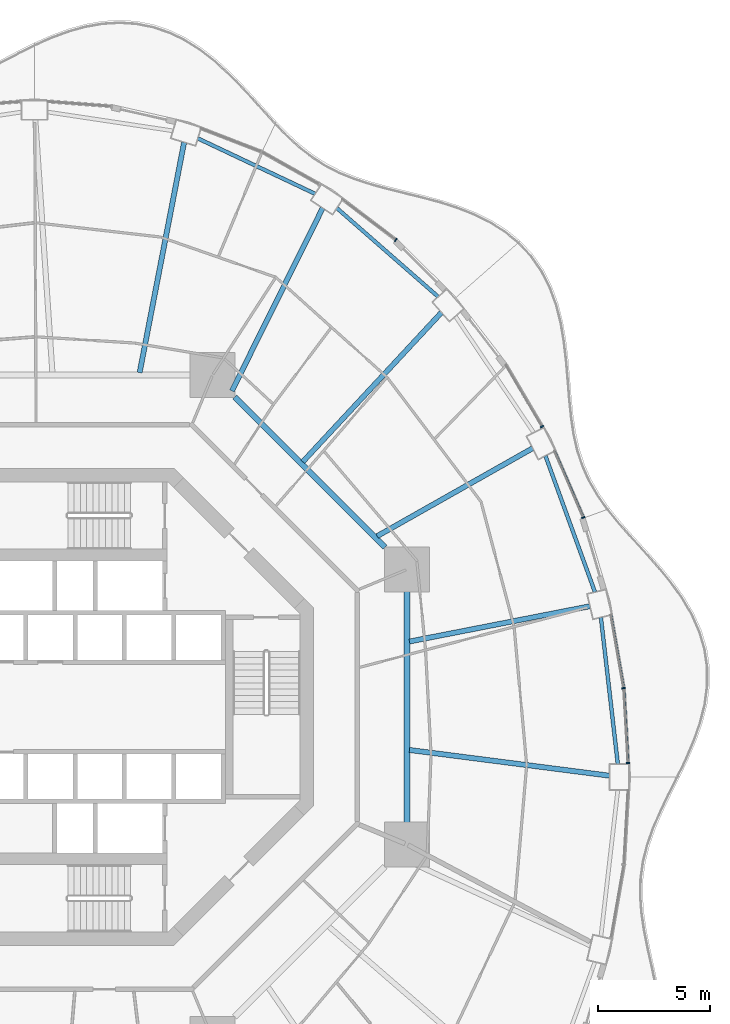
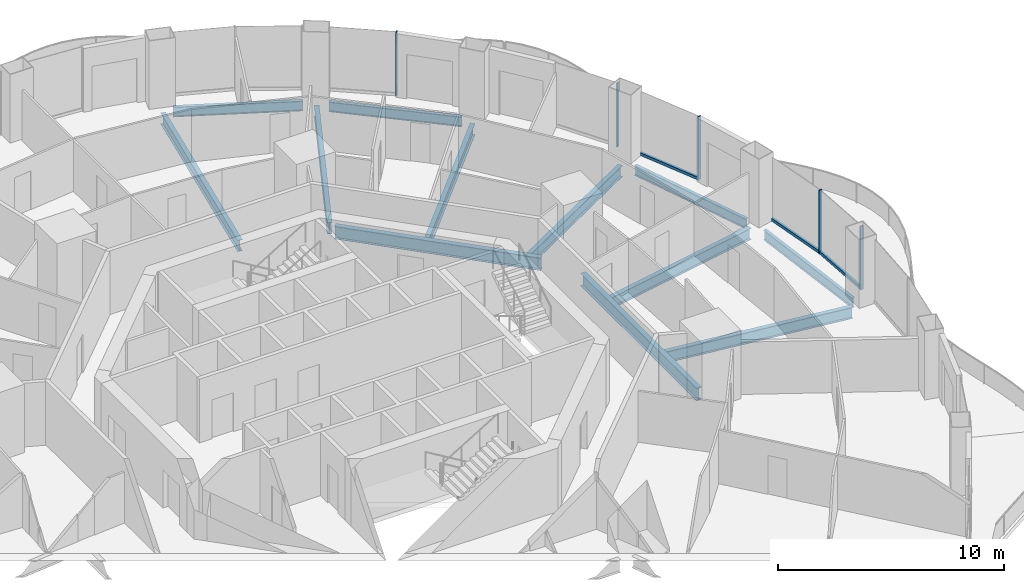
# One storey, part 8 of 20: 12 beams, 8 members, 5 elements without a shape of their own.
"""IFC4 building model written with IfcOpenShell, lengths in metres."""

from ifc_helpers import new_model, si_unit, direction, frame, origin, origin_2d, place, context, subcontext, project, spatial, rectangle, i_section, extrude, material, layer, layer_set, material_profile, profile_set, type_object, element, aggregate, save


model = new_model("IFC4")

# Units and contexts
model_context = context("Model", 3, precision=1e-05, world=origin(), true_north=direction((0.0, 1.0)))
body_context = subcontext(model_context, "Body", "Model", "MODEL_VIEW")
ifc_project = project(units=[si_unit("LENGTHUNIT", "METRE"), si_unit("AREAUNIT", "SQUARE_METRE"), si_unit("VOLUMEUNIT", "CUBIC_METRE"), si_unit("PLANEANGLEUNIT", "RADIAN"), si_unit("MASSUNIT", "GRAM", prefix="KILO")], contexts=[model_context])

# Site, building, storey
site_placement = place(None, origin())
site = spatial("IfcSite", under=ifc_project, at=site_placement, CompositionType="ELEMENT")
building_placement = place(site_placement, origin())
building = spatial("IfcBuilding", under=site, at=building_placement, Name="Nagisa Residences", CompositionType="ELEMENT")
storey_placement = place(building_placement, frame((0.0, 0.0, 141.800048828125)))
storey = spatial("IfcBuildingStorey", under=building, at=storey_placement, Name="L35", CompositionType="ELEMENT", Elevation=141.800048828125)

# Curtain wall, member
ifc_material_1 = material(Name="Concrete-coloured aluminium curtain wall system", Category="concrete")
ifc_layer = layer(ifc_material_1, 0.159912109375)
ifc_layer_set = layer_set([ifc_layer], Name="CW1 CURTAIN WALL")
curtain_wall_type = type_object("IfcCurtainWallType", Name="CW1 CURTAIN WALL", PredefinedType="NOTDEFINED", material=ifc_layer_set)
curtain_wall_1_placement = place(storey_placement, origin())
curtain_wall_1 = element("IfcCurtainWall", 1, at=curtain_wall_1_placement, inside=storey, type_object=curtain_wall_type, Name="cw:CW1:L35:00", PredefinedType="NOTDEFINED")
ifc_material_2 = material(Name="Concrete-coloured aluminium", Category="concrete")
ifc_material_profile_1 = material_profile(ifc_material_2, rectangle(XDim=0.159912109375, YDim=0.06005859375, at=origin_2d()), Name="CW1 MULLION 160x60")
ifc_profile_set_1 = profile_set([ifc_material_profile_1], Name="Concrete-coloured aluminium")
member_type_1 = type_object("IfcMemberType", Name="CW1 MULLION 160x60", PredefinedType="MULLION", material=ifc_profile_set_1)
member_1_placement = place(storey_placement, frame((24.618896484375, -2.493408203125, 0.0), z_axis=(0.0, 0.0, 1.0), x_axis=(-0.998345305184, -0.057503492216, 0.0)))
member_1 = element("IfcMember", 2, at=member_1_placement, type_object=member_type_1, Name="CW1 mullion", PredefinedType="MULLION", context=body_context, shape_type="SweptSolid", body=[
    extrude(rectangle(XDim=0.159912109375, YDim=0.06005859375, at=origin_2d()), origin(), (0.0, 0.0, 1.0), 3.43994140625),
])

curtain_wall_2_placement = place(storey_placement, origin())
curtain_wall_2 = element("IfcCurtainWall", 3, at=curtain_wall_2_placement, inside=storey, type_object=curtain_wall_type, Name="cw:CW1:L35:01", PredefinedType="NOTDEFINED")
member_2_placement = place(storey_placement, frame((24.424072265625, 0.83935546875, 0.0), z_axis=(0.0, 0.0, 1.0), x_axis=(-0.985063604377, -0.172190868898, 0.0)))
member_2 = element("IfcMember", 4, at=member_2_placement, type_object=member_type_1, Name="CW1 mullion", PredefinedType="MULLION", context=body_context, shape_type="SweptSolid", body=[
    extrude(rectangle(XDim=0.159912109375, YDim=0.06005859375, at=origin_2d()), origin(), (0.0, 0.0, 1.0), 3.43994140625),
])

curtain_wall_3_placement = place(storey_placement, origin())
curtain_wall_3 = element("IfcCurtainWall", 5, at=curtain_wall_3_placement, inside=storey, type_object=curtain_wall_type, Name="cw:CW1:L35:03", PredefinedType="NOTDEFINED")
member_3_placement = place(storey_placement, frame((22.6298828125, 8.43310546875, 0.0), z_axis=(0.0, 0.0, 1.0), x_axis=(-0.917543276295, -0.397635934147, 0.0)))
member_3 = element("IfcMember", 6, at=member_3_placement, type_object=member_type_1, Name="CW1 mullion", PredefinedType="MULLION", context=body_context, shape_type="SweptSolid", body=[
    extrude(rectangle(XDim=0.159912109375, YDim=0.06005859375, at=origin_2d()), origin(), (0.0, 0.0, 1.0), 3.43994140625),
])

curtain_wall_4_placement = place(storey_placement, origin())
curtain_wall_4 = element("IfcCurtainWall", 7, at=curtain_wall_4_placement, inside=storey, type_object=curtain_wall_type, Name="cw:CW1:L35:04", PredefinedType="NOTDEFINED")
member_4_placement = place(storey_placement, frame((20.7919921875, 12.482666015625, 0.0), z_axis=(0.0, 0.0, 1.0), x_axis=(-0.862328898214, -0.506348567002, 0.0)))
member_4 = element("IfcMember", 8, at=member_4_placement, type_object=member_type_1, Name="CW1 mullion", PredefinedType="MULLION", context=body_context, shape_type="SweptSolid", body=[
    extrude(rectangle(XDim=0.159912109375, YDim=0.06005859375, at=origin_2d()), origin(), (0.0, 0.0, 1.0), 3.43994140625),
])
aggregate(curtain_wall_4, [member_4])

curtain_wall_5_placement = place(storey_placement, origin())
curtain_wall_5 = element("IfcCurtainWall", 9, at=curtain_wall_5_placement, inside=storey, type_object=curtain_wall_type, Name="cw:CW1:L35:07", PredefinedType="NOTDEFINED")
member_5_placement = place(storey_placement, frame((14.28125, 20.7919921875, 0.0), z_axis=(0.0, 0.0, 1.0), x_axis=(-0.605255421737, -0.79603132756, 0.0)))
member_5 = element("IfcMember", 10, at=member_5_placement, type_object=member_type_1, Name="CW1 mullion", PredefinedType="MULLION", context=body_context, shape_type="SweptSolid", body=[
    extrude(rectangle(XDim=0.159912109375, YDim=0.06005859375, at=origin_2d()), origin(), (0.0, 0.0, 1.0), 3.43994140625),
])
aggregate(curtain_wall_5, [member_5])

# Member
ifc_material_3 = material(Name="Concrete-coloured aluminium", Category="concrete")
ifc_material_profile_2 = material_profile(ifc_material_3, rectangle(XDim=0.1201171875, YDim=0.14990234375, at=origin_2d()), Name="CW1 TRANSOM 120x150")
ifc_profile_set_2 = profile_set([ifc_material_profile_2], Name="Concrete-coloured aluminium")
member_type_2 = type_object("IfcMemberType", Name="CW1 TRANSOM 120x150", PredefinedType="USERDEFINED", material=ifc_profile_set_2)
member_6_placement = place(storey_placement, frame((24.62060546875, -2.523193359375, 0.074951171875), z_axis=(-0.057469329432, 0.998347272333, 0.0), x_axis=(-0.998347272333, -0.057469329432, 0.0)))
member_6 = element("IfcMember", 11, at=member_6_placement, type_object=member_type_2, Name="CW1 transom", ObjectType="TRANSOM", PredefinedType="USERDEFINED", context=body_context, shape_type="SweptSolid", body=[
    extrude(rectangle(XDim=0.1201171875, YDim=0.14990234375, at=origin_2d()), origin(), (0.0, 0.0, 1.0), 3.34765625),
])

aggregate(curtain_wall_1, [member_1, member_6])

member_7_placement = place(storey_placement, frame((24.42919921875, 0.809814453125, 0.074951171875), z_axis=(-0.172163521006, 0.985068384446, 0.0), x_axis=(-0.985068384446, -0.172163521006, 0.0)))
member_7 = element("IfcMember", 12, at=member_7_placement, type_object=member_type_2, Name="CW1 transom", ObjectType="TRANSOM", PredefinedType="USERDEFINED", context=body_context, shape_type="SweptSolid", body=[
    extrude(rectangle(XDim=0.1201171875, YDim=0.14990234375, at=origin_2d()), origin(), (0.0, 0.0, 1.0), 3.33251953125),
])

aggregate(curtain_wall_2, [member_2, member_7])

member_8_placement = place(storey_placement, frame((22.641845703125, 8.405517578125, 0.074951171875), z_axis=(-0.397638954585, 0.917541967321, 0.0), x_axis=(-0.917541967321, -0.397638954585, 0.0)))
member_8 = element("IfcMember", 13, at=member_8_placement, type_object=member_type_2, Name="CW1 transom", ObjectType="TRANSOM", PredefinedType="USERDEFINED", context=body_context, shape_type="SweptSolid", body=[
    extrude(rectangle(XDim=0.1201171875, YDim=0.14990234375, at=origin_2d()), origin(), (0.0, 0.0, 1.0), 3.2607421875),
])

aggregate(curtain_wall_3, [member_3, member_8])

# Beams
ifc_material_4 = material(Name="Steel ASTM A572 Gr 50", Category="steel")
ifc_material_profile_3 = material_profile(ifc_material_4, i_section(OverallWidth=0.25390625, OverallDepth=0.68408203125, WebThickness=0.012451171875, FlangeThickness=0.018798828125, at=origin_2d()), Name="W690x140")
ifc_profile_set_3 = profile_set([ifc_material_profile_3], Name="Steel ASTM A572 Gr 50")
beam_type_1 = type_object("IfcBeamType", Name="Inner ring beam W690x140", PredefinedType="BEAM", material=ifc_profile_set_3)
beam_1_placement = place(storey_placement, frame((13.796142578125, 7.10888671875, -0.60205078125), z_axis=(-0.707106781187, 0.707106781187, 0.0), x_axis=(-0.707106781187, -0.707106781187, 0.0)))
element("IfcBeam", 14, at=beam_1_placement, inside=storey, type_object=beam_type_1, Name="beam:L35:ib1", PredefinedType="BEAM", context=body_context, shape_type="SweptSolid", body=[
    extrude(i_section(OverallWidth=0.25390625, OverallDepth=0.68408203125, WebThickness=0.012451171875, FlangeThickness=0.018798828125, at=origin_2d()), origin(), (0.0, 0.0, 1.0), 9.457275390625),
])
beam_2_placement = place(storey_placement, frame((14.781982421875, -5.142822265625, -0.60205078125), z_axis=(0.0, 1.0, 0.0), x_axis=(-1.0, 0.0, 0.0)))
element("IfcBeam", 15, at=beam_2_placement, inside=storey, type_object=beam_type_1, Name="beam:L35:ib8", PredefinedType="BEAM", context=body_context, shape_type="SweptSolid", body=[
    extrude(i_section(OverallWidth=0.25390625, OverallDepth=0.68408203125, WebThickness=0.012451171875, FlangeThickness=0.018798828125, at=origin_2d()), origin(), (0.0, 0.0, 1.0), 10.28564453125),
])
ifc_material_5 = material(Name="Steel ASTM A572 Gr 50", Category="steel")
ifc_material_profile_4 = material_profile(ifc_material_5, i_section(OverallWidth=0.166015625, OverallDepth=0.534912109375, WebThickness=0.01025390625, FlangeThickness=0.0166015625, at=origin_2d()), Name="W530x85")
ifc_profile_set_4 = profile_set([ifc_material_profile_4], Name="Steel ASTM A572 Gr 50")
beam_type_2 = type_object("IfcBeamType", Name="Perimeter ring beam W530x85", PredefinedType="BEAM", material=ifc_profile_set_4)
beam_3_placement = place(storey_placement, frame((24.16796875, -2.53759765625, -0.527587890625), z_axis=(-0.114660786771, 0.993404703017, 0.0), x_axis=(-0.993404703017, -0.114660786771, 0.0)))
element("IfcBeam", 16, at=beam_3_placement, inside=storey, type_object=beam_type_2, Name="beam:L35:pb01", PredefinedType="BEAM", context=body_context, shape_type="SweptSolid", body=[
    extrude(i_section(OverallWidth=0.166015625, OverallDepth=0.534912109375, WebThickness=0.01025390625, FlangeThickness=0.0166015625, at=origin_2d()), origin(), (0.0, 0.0, 1.0), 6.568603515625),
])
beam_4_placement = place(storey_placement, frame((23.1484375, 5.116943359375, -0.527587890625), z_axis=(-0.341332802315, 0.93994250785, 0.0), x_axis=(-0.93994250785, -0.341332802315, 0.0)))
element("IfcBeam", 17, at=beam_4_placement, inside=storey, type_object=beam_type_2, Name="beam:L35:pb02", PredefinedType="BEAM", context=body_context, shape_type="SweptSolid", body=[
    extrude(i_section(OverallWidth=0.166015625, OverallDepth=0.534912109375, WebThickness=0.01025390625, FlangeThickness=0.0166015625, at=origin_2d()), origin(), (0.0, 0.0, 1.0), 6.450927734375),
])
beam_5_placement = place(storey_placement, frame((16.169189453125, 18.26513671875, -0.527587890625), z_axis=(-0.752503526528, 0.658588219272, 0.0), x_axis=(-0.658588219272, -0.752503526528, 0.0)))
element("IfcBeam", 18, at=beam_5_placement, inside=storey, type_object=beam_type_2, Name="beam:L35:pb04", PredefinedType="BEAM", context=body_context, shape_type="SweptSolid", body=[
    extrude(i_section(OverallWidth=0.166015625, OverallDepth=0.534912109375, WebThickness=0.01025390625, FlangeThickness=0.0166015625, at=origin_2d()), origin(), (0.0, 0.0, 1.0), 5.99462890625),
])
beam_6_placement = place(storey_placement, frame((10.687744140625, 22.84912109375, -0.527587890625), z_axis=(-0.904169699539, 0.427173447719, 0.0), x_axis=(-0.427173447719, -0.904169699539, 0.0)))
element("IfcBeam", 19, at=beam_6_placement, inside=storey, type_object=beam_type_2, Name="beam:L35:pb05", PredefinedType="BEAM", context=body_context, shape_type="SweptSolid", body=[
    extrude(i_section(OverallWidth=0.166015625, OverallDepth=0.534912109375, WebThickness=0.01025390625, FlangeThickness=0.0166015625, at=origin_2d()), origin(), (0.0, 0.0, 1.0), 5.7724609375),
])
ifc_material_6 = material(Name="Steel ASTM A572 Gr 50", Category="steel")
ifc_material_profile_5 = material_profile(ifc_material_6, i_section(OverallWidth=0.22900390625, OverallDepth=0.612060546875, WebThickness=0.011962890625, FlangeThickness=0.01953125, at=origin_2d()), Name="W610x125")
ifc_profile_set_5 = profile_set([ifc_material_profile_5], Name="Steel ASTM A572 Gr 50")
beam_type_3 = type_object("IfcBeamType", Name="Radial beam W610x125", PredefinedType="BEAM", material=ifc_profile_set_5)
beam_7_placement = place(storey_placement, frame((23.804931640625, -3.062255859375, -0.566162109375), z_axis=(-0.991829934558, 0.127567162371, 0.0), x_axis=(-0.127567162371, -0.991829934558, 0.0)))
element("IfcBeam", 20, at=beam_7_placement, inside=storey, type_object=beam_type_3, Name="beam:L35:rb01", PredefinedType="BEAM", context=body_context, shape_type="SweptSolid", body=[
    extrude(i_section(OverallWidth=0.22900390625, OverallDepth=0.612060546875, WebThickness=0.011962890625, FlangeThickness=0.01953125, at=origin_2d()), origin(), (0.0, 0.0, 1.0), 8.9892578125),
])
beam_8_placement = place(storey_placement, frame((22.925537109375, 4.4853515625, -0.566162109375), z_axis=(-0.981393143406, -0.192009109355, 0.0), x_axis=(0.192009109355, -0.981393143406, 0.0)))
element("IfcBeam", 21, at=beam_8_placement, inside=storey, type_object=beam_type_3, Name="beam:L35:rb02", PredefinedType="BEAM", context=body_context, shape_type="SweptSolid", body=[
    extrude(i_section(OverallWidth=0.22900390625, OverallDepth=0.612060546875, WebThickness=0.011962890625, FlangeThickness=0.01953125, at=origin_2d()), origin(), (0.0, 0.0, 1.0), 8.1884765625),
])
beam_9_placement = place(storey_placement, frame((20.372314453125, 11.51806640625, -0.566162109375), z_axis=(-0.870505636565, -0.492158446751, 0.0), x_axis=(0.492158446751, -0.870505636565, 0.0)))
element("IfcBeam", 22, at=beam_9_placement, inside=storey, type_object=beam_type_3, Name="beam:L35:rb03", PredefinedType="BEAM", context=body_context, shape_type="SweptSolid", body=[
    extrude(i_section(OverallWidth=0.22900390625, OverallDepth=0.612060546875, WebThickness=0.011962890625, FlangeThickness=0.01953125, at=origin_2d()), origin(), (0.0, 0.0, 1.0), 7.949951171875),
])
beam_10_placement = place(storey_placement, frame((16.315185546875, 17.56298828125, -0.566162109375), z_axis=(-0.680605908425, -0.7326497099, 0.0), x_axis=(0.7326497099, -0.680605908425, 0.0)))
element("IfcBeam", 23, at=beam_10_placement, inside=storey, type_object=beam_type_3, Name="beam:L35:rb04", PredefinedType="BEAM", context=body_context, shape_type="SweptSolid", body=[
    extrude(i_section(OverallWidth=0.22900390625, OverallDepth=0.612060546875, WebThickness=0.011962890625, FlangeThickness=0.01953125, at=origin_2d()), origin(), (0.0, 0.0, 1.0), 9.072509765625),
])
beam_11_placement = place(storey_placement, frame((11.02490234375, 22.2109375, -0.566162109375), z_axis=(-0.444599872799, -0.895729285614, 0.0), x_axis=(0.895729285614, -0.444599872799, 0.0)))
element("IfcBeam", 24, at=beam_11_placement, inside=storey, type_object=beam_type_3, Name="beam:L35:rb05", PredefinedType="BEAM", context=body_context, shape_type="SweptSolid", body=[
    extrude(i_section(OverallWidth=0.22900390625, OverallDepth=0.612060546875, WebThickness=0.011962890625, FlangeThickness=0.01953125, at=origin_2d()), origin(), (0.0, 0.0, 1.0), 9.085693359375),
])
beam_12_placement = place(storey_placement, frame((4.8564453125, 25.140869140625, -0.566162109375), z_axis=(-0.189659094365, -0.981850002762, 0.0), x_axis=(0.981850002762, -0.189659094365, 0.0)))
element("IfcBeam", 25, at=beam_12_placement, inside=storey, type_object=beam_type_3, Name="beam:L35:rb06", PredefinedType="BEAM", context=body_context, shape_type="SweptSolid", body=[
    extrude(i_section(OverallWidth=0.22900390625, OverallDepth=0.612060546875, WebThickness=0.011962890625, FlangeThickness=0.01953125, at=origin_2d()), origin(), (0.0, 0.0, 1.0), 10.44091796875),
])

save(model, "model.ifc")
